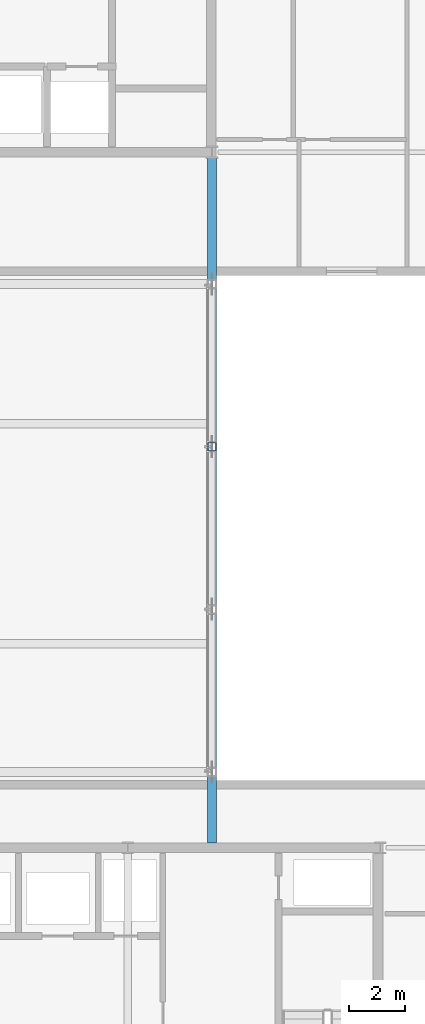
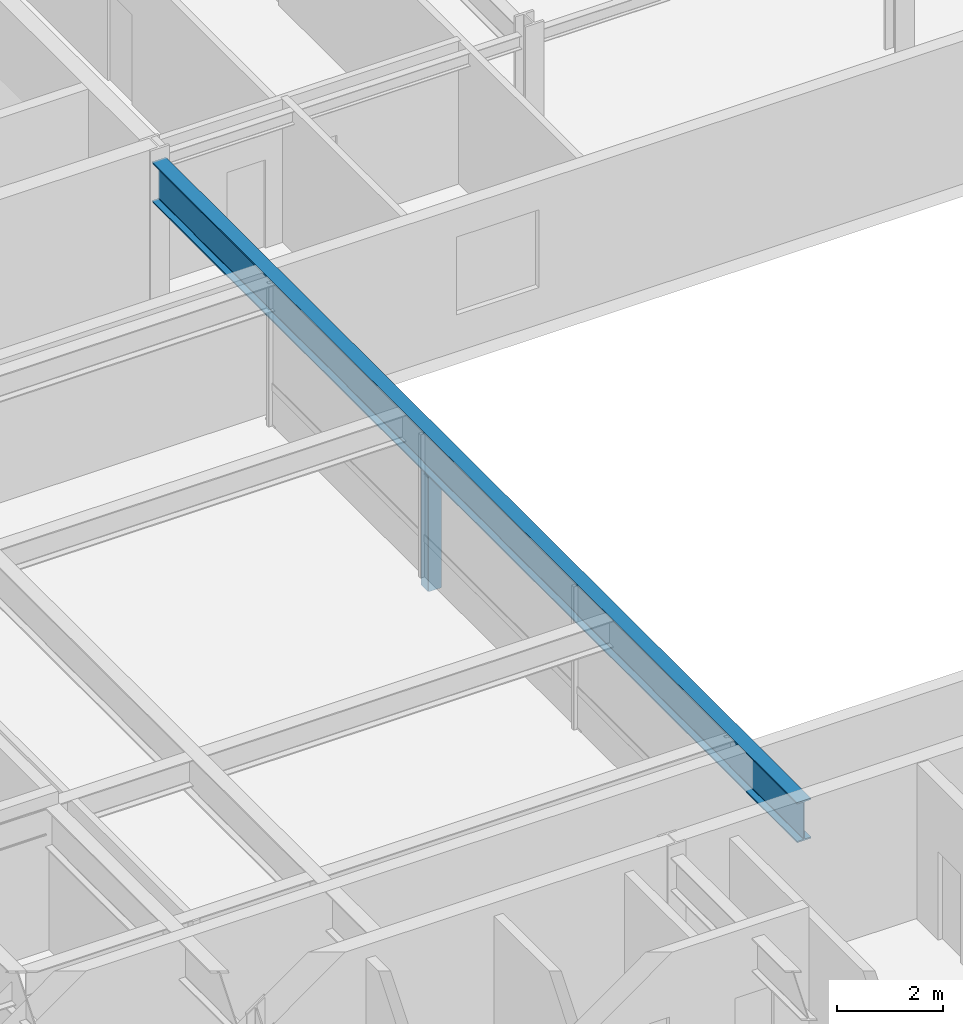
# One storey, part 11 of 36: 1 beam, 1 member.
"""IFC4 building model written with IfcOpenShell, lengths in metres."""

from ifc_helpers import new_model, si_unit, direction, frame, origin, origin_2d, place, context, subcontext, project, spatial, hollow_rectangle, i_section, extrude, material, material_profile, profile_set, type_object, element, save


model = new_model("IFC4")

# Units and contexts
model_context = context("Model", 3, precision=1e-05, world=origin(), true_north=direction((0.0, 1.0)))
body_context = subcontext(model_context, "Body", "Model", "MODEL_VIEW")
ifc_project = project(units=[si_unit("LENGTHUNIT", "METRE"), si_unit("AREAUNIT", "SQUARE_METRE"), si_unit("VOLUMEUNIT", "CUBIC_METRE"), si_unit("PLANEANGLEUNIT", "RADIAN"), si_unit("MASSUNIT", "GRAM", prefix="KILO")], contexts=[model_context])

# Site, building, storey
site_placement = place(None, origin())
site = spatial("IfcSite", under=ifc_project, at=site_placement, CompositionType="ELEMENT")
building_placement = place(site_placement, origin())
building = spatial("IfcBuilding", under=site, at=building_placement, Name="Korimba Cascade Residences", CompositionType="ELEMENT")
storey_placement = place(building_placement, frame((0.0, 0.0, 142.89990234375)))
storey = spatial("IfcBuildingStorey", under=building, at=storey_placement, Name="L41", CompositionType="ELEMENT", Elevation=142.89990234375)

# Beam
ifc_material = material(Name="Steel S460", Category="steel")
ifc_material_profile_1 = material_profile(ifc_material, i_section(OverallWidth=0.3076171875, OverallDepth=0.926513671875, WebThickness=0.01953125, FlangeThickness=0.031982421875, FilletRadius=0.01904296875, at=origin_2d()), Name="Steel S460")
ifc_profile_set_1 = profile_set([ifc_material_profile_1], Name="Steel S460")
beam_type = type_object("IfcBeamType", Name="BM-STL-UB914B", PredefinedType="BEAM", material=ifc_profile_set_1)
beam_placement = place(storey_placement, frame((112.10009765625, 30.574951171875, 2.8466796875), z_axis=(0.0, 1.0, 0.0), x_axis=(-1.0, 0.0, 0.0)))
element("IfcBeam", 1, at=beam_placement, inside=storey, type_object=beam_type, Name="L41 Rigid Mid-Bridge Truss Chord 6", PredefinedType="BEAM", context=body_context, shape_type="SweptSolid", body=[
    extrude(i_section(OverallWidth=0.3076171875, OverallDepth=0.926513671875, WebThickness=0.01953125, FlangeThickness=0.031982421875, FilletRadius=0.01904296875, at=origin_2d()), origin(), (0.0, 0.0, 1.0), 24.449951171875),
])

# Member
ifc_material_profile_2 = material_profile(ifc_material, hollow_rectangle(XDim=0.300048828125, YDim=0.300048828125, WallThickness=0.012451171875, InnerFilletRadius=0.012451171875, OuterFilletRadius=0.02490234375, at=origin_2d()), Name="Steel S460")
ifc_profile_set_2 = profile_set([ifc_material_profile_2], Name="Steel S460")
member_type = type_object("IfcMemberType", Name="MEM-BRG-STR300", PredefinedType="STRUT", material=ifc_profile_set_2)
member_placement = place(storey_placement, frame((112.10009765625, 44.699951171875, -0.289794921875), z_axis=(0.0, 0.0, 1.0), x_axis=(1.0, 0.0, 0.0)))
element("IfcMember", 2, at=member_placement, inside=storey, type_object=member_type, Name="L41 Mid-Bridge Warren Web Post E3", PredefinedType="STRUT", context=body_context, shape_type="SweptSolid", body=[
    extrude(hollow_rectangle(XDim=0.300048828125, YDim=0.300048828125, WallThickness=0.012451171875, InnerFilletRadius=0.012451171875, OuterFilletRadius=0.02490234375, at=origin_2d()), origin(), (0.0, 0.0, 1.0), 2.67333984375),
])

save(model, "model.ifc")
